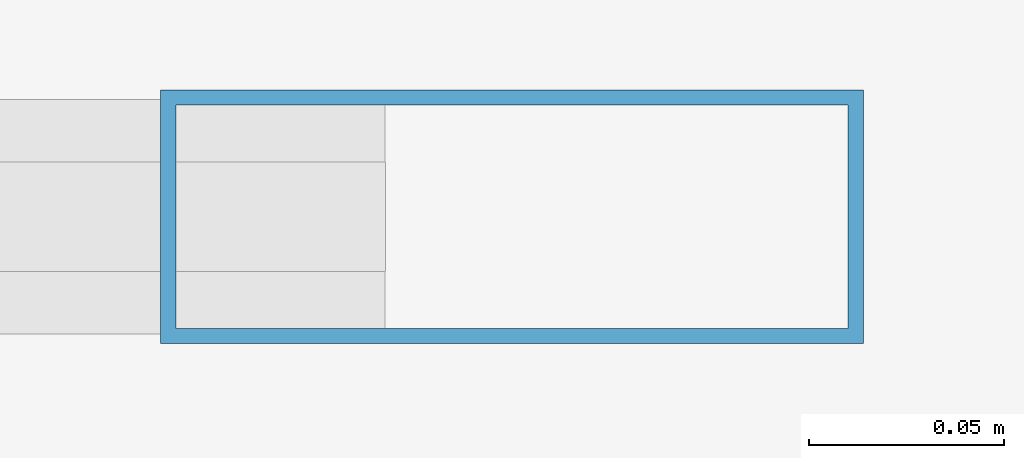
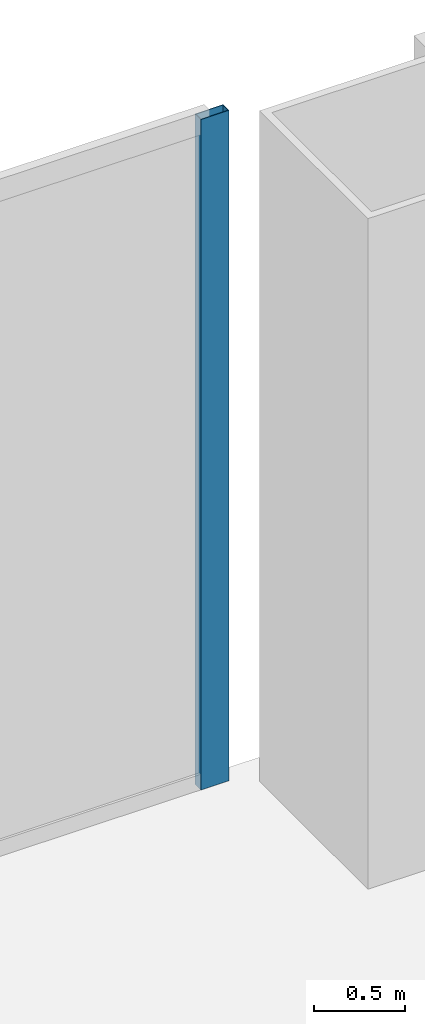
# One storey, part 31 of 40: 1 member, 1 element without a shape of its own.
"""IFC4 building model written with IfcOpenShell, lengths in metres."""

from ifc_helpers import new_model, si_unit, direction, frame, origin, origin_2d, place, context, subcontext, project, spatial, hollow_rectangle, extrude, source, transform, mapped, material, layer, layer_set, material_profile, profile_set, type_object, element, aggregate, save


model = new_model("IFC4")

# Units and contexts
model_context = context("Model", 3, precision=1e-05, world=origin(), true_north=direction((0.0, 1.0)))
body_context = subcontext(model_context, "Body", "Model", "MODEL_VIEW")
ifc_project = project(units=[si_unit("LENGTHUNIT", "METRE"), si_unit("AREAUNIT", "SQUARE_METRE"), si_unit("VOLUMEUNIT", "CUBIC_METRE"), si_unit("PLANEANGLEUNIT", "RADIAN"), si_unit("MASSUNIT", "GRAM", prefix="KILO"), si_unit("THERMODYNAMICTEMPERATUREUNIT", "KELVIN"), si_unit("POWERUNIT", "WATT")], contexts=[model_context])

# Site, building, storey
site_placement = place(None, origin())
site = spatial("IfcSite", under=ifc_project, at=site_placement, CompositionType="ELEMENT")
building_placement = place(site_placement, origin())
building = spatial("IfcBuilding", under=site, at=building_placement, Name="Yunzhuo Pagoda Commons", CompositionType="ELEMENT")
storey_placement = place(building_placement, frame((0.0, 0.0, 14.39990234375)))
storey = spatial("IfcBuildingStorey", under=building, at=storey_placement, Name="L04", CompositionType="ELEMENT", Elevation=14.39990234375)

# Curtain wall, member
ifc_material = material(Name="Anodized aluminium 6063-T6", Category="aluminium")
ifc_layer = layer(ifc_material, 0.179931640625)
ifc_layer_set = layer_set([ifc_layer], Name="Anodized aluminium 6063-T6")
curtain_wall_type = type_object("IfcCurtainWallType", Name="CW-POD Waterfront Podium Curtain Wall", PredefinedType="NOTDEFINED", material=ifc_layer_set)
curtain_wall_placement = place(storey_placement, origin())
curtain_wall = element("IfcCurtainWall", 1, at=curtain_wall_placement, inside=storey, type_object=curtain_wall_type, Name="L04 curtain wall CW-L04-N5", PredefinedType="NOTDEFINED")
ifc_material_profile = material_profile(ifc_material, hollow_rectangle(XDim=0.06494140625, YDim=0.179931640625, WallThickness=0.00390625, at=origin_2d()), Name="Anodized aluminium 6063-T6")
ifc_profile_set = profile_set([ifc_material_profile], Name="Anodized aluminium 6063-T6")
member_type = type_object("IfcMemberType", Name="CW-POD-M Mullion RHS 180x65x4", PredefinedType="MULLION", material=ifc_profile_set)
shared_shape = source(origin(), body_context, "Body", "SweptSolid", [
    extrude(hollow_rectangle(XDim=0.06494140625, YDim=0.179931640625, WallThickness=0.00390625, at=origin_2d()), origin(), (0.0, 0.0, 1.0), 4.52001953125),
])
member_placement = place(storey_placement, frame((90.367431640625, 81.919921875, 0.0), z_axis=(0.0, 0.0, 1.0), x_axis=(0.0, 1.0, 0.0)))
member = element("IfcMember", 2, at=member_placement, type_object=member_type, Name="CW mullion 3", PredefinedType="MULLION", context=body_context, shape_type="MappedRepresentation", body=[
    mapped(shared_shape, transform((0.0, 0.0, 0.0), scale=1.0)),
])
aggregate(curtain_wall, [member])

save(model, "model.ifc")
